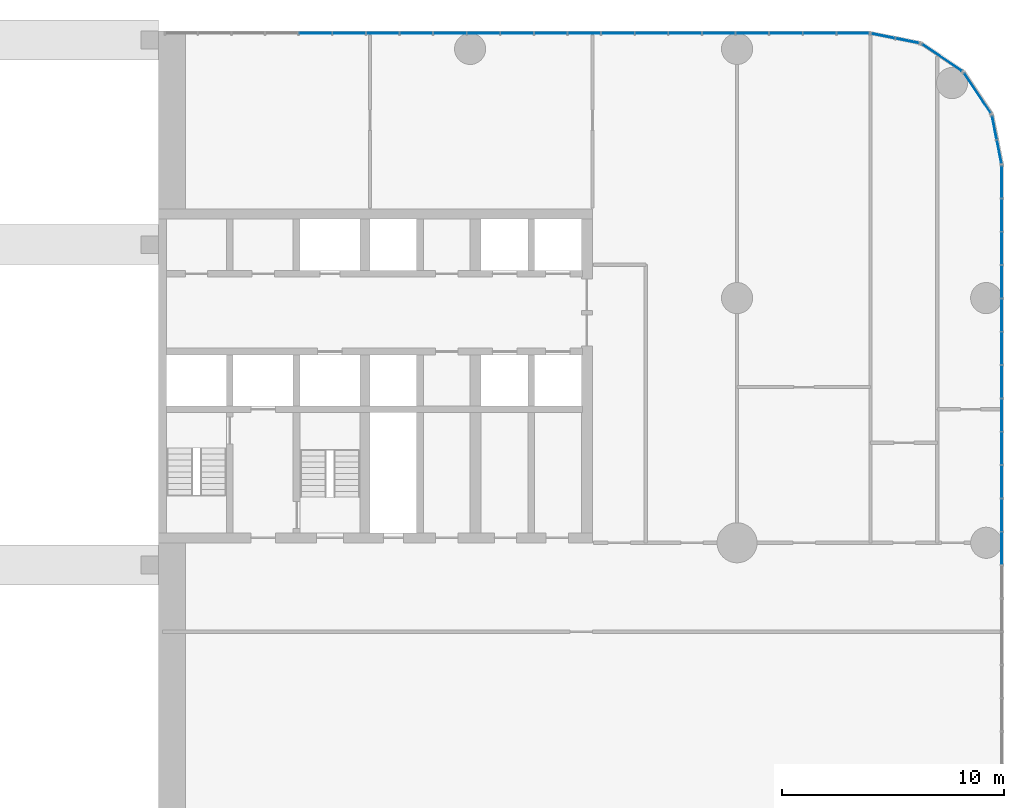
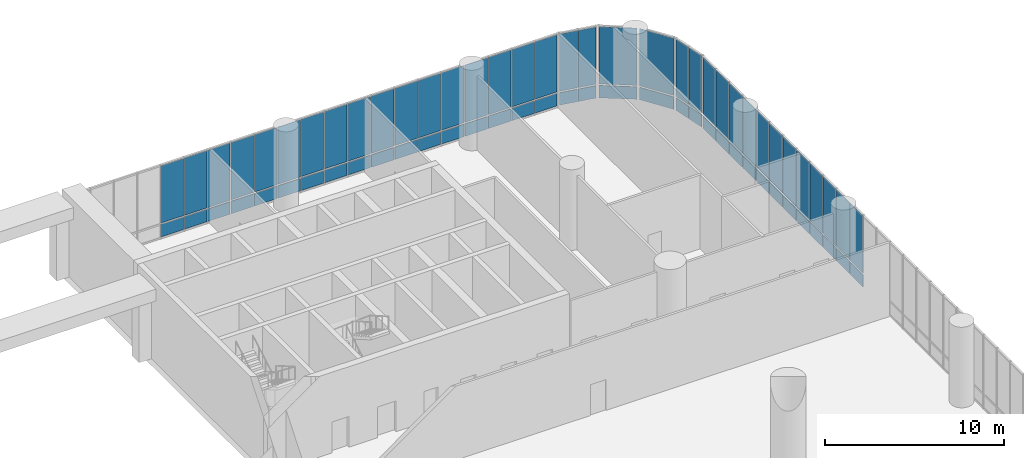
# One storey, part 23 of 30: 70 plates, 6 elements without a shape of their own.
"""IFC4 building model written with IfcOpenShell, lengths in metres."""

from ifc_helpers import new_model, si_unit, direction, frame, origin, origin_2d, place, context, subcontext, project, spatial, rectangle, extrude, material, layer, layer_set, type_object, element, aggregate, save


model = new_model("IFC4")

# Units and contexts
model_context = context("Model", 3, precision=1e-05, world=origin(), true_north=direction((0.0, 1.0)))
body_context = subcontext(model_context, "Body", "Model", "MODEL_VIEW")
ifc_project = project(units=[si_unit("LENGTHUNIT", "METRE"), si_unit("AREAUNIT", "SQUARE_METRE"), si_unit("VOLUMEUNIT", "CUBIC_METRE"), si_unit("PLANEANGLEUNIT", "RADIAN"), si_unit("MASSUNIT", "GRAM", prefix="KILO")], contexts=[model_context])

# Site, building, storey
site_placement = place(None, origin())
site = spatial("IfcSite", under=ifc_project, at=site_placement, CompositionType="ELEMENT")
building_placement = place(site_placement, origin())
building = spatial("IfcBuilding", under=site, at=building_placement, Name="Torana Hotel and Residences", CompositionType="ELEMENT")
storey_placement = place(building_placement, frame((0.0, 0.0, 12.5)))
storey = spatial("IfcBuildingStorey", under=building, at=storey_placement, Name="L02", CompositionType="ELEMENT", Elevation=12.5)

# Curtain wall, plates
ifc_material_1 = material(Name="Dark anodised aluminium", Category="aluminium")
ifc_layer_1 = layer(ifc_material_1, 0.14990234375)
ifc_layer_set_1 = layer_set([ifc_layer_1], Name="CW5 PODIUM UPPER UNITISED CURTAIN WALL")
curtain_wall_type = type_object("IfcCurtainWallType", Name="CW5 PODIUM UPPER UNITISED CURTAIN WALL", PredefinedType="NOTDEFINED", material=ifc_layer_set_1)
curtain_wall_1_placement = place(storey_placement, origin())
curtain_wall_1 = element("IfcCurtainWall", 1, at=curtain_wall_1_placement, inside=storey, type_object=curtain_wall_type, Name="Curtain wall CW5 L02 e1.5", PredefinedType="NOTDEFINED")
ifc_material_2 = material(Name="Glass clear low-iron laminated double glazed unit", Category="glass")
ifc_layer_2 = layer(ifc_material_2, 0.035888671875)
ifc_layer_set_2 = layer_set([ifc_layer_2], Name="CW5 DARK GLASS PANEL 36")
plate_type = type_object("IfcPlateType", Name="CW5 DARK GLASS PANEL 36", PredefinedType="CURTAIN_PANEL", material=ifc_layer_set_2)
plate_1_placement = place(storey_placement, frame((47.89990234375, -15.2509765625, 0.099853515625), z_axis=(0.0, 0.0, 1.0), x_axis=(0.0, 1.0, 0.0)))
plate_1 = element("IfcPlate", 2, at=plate_1_placement, type_object=plate_type, Name="CW5 panel 13.1", PredefinedType="CURTAIN_PANEL", context=body_context, shape_type="SweptSolid", body=[
    extrude(rectangle(XDim=1.43798828125, YDim=0.035888671875, at=origin_2d()), origin(), (0.0, 0.0, 1.0), 0.85009765625),
])
plate_2_placement = place(storey_placement, frame((47.89990234375, -15.2509765625, 1.050048828125), z_axis=(0.0, 0.0, 1.0), x_axis=(0.0, 1.0, 0.0)))
plate_2 = element("IfcPlate", 3, at=plate_2_placement, type_object=plate_type, Name="CW5 panel 13.2", PredefinedType="CURTAIN_PANEL", context=body_context, shape_type="SweptSolid", body=[
    extrude(rectangle(XDim=1.43798828125, YDim=0.035888671875, at=origin_2d()), origin(), (0.0, 0.0, 1.0), 3.89990234375),
])
plate_3_placement = place(storey_placement, frame((47.89990234375, -13.753173828125, 0.099853515625), z_axis=(0.0, 0.0, 1.0), x_axis=(0.0, 1.0, 0.0)))
plate_3 = element("IfcPlate", 4, at=plate_3_placement, type_object=plate_type, Name="CW5 panel 14.1", PredefinedType="CURTAIN_PANEL", context=body_context, shape_type="SweptSolid", body=[
    extrude(rectangle(XDim=1.43798828125, YDim=0.035888671875, at=origin_2d()), origin(), (0.0, 0.0, 1.0), 0.85009765625),
])
plate_4_placement = place(storey_placement, frame((47.89990234375, -13.753173828125, 1.050048828125), z_axis=(0.0, 0.0, 1.0), x_axis=(0.0, 1.0, 0.0)))
plate_4 = element("IfcPlate", 5, at=plate_4_placement, type_object=plate_type, Name="CW5 panel 14.2", PredefinedType="CURTAIN_PANEL", context=body_context, shape_type="SweptSolid", body=[
    extrude(rectangle(XDim=1.43798828125, YDim=0.035888671875, at=origin_2d()), origin(), (0.0, 0.0, 1.0), 3.89990234375),
])
plate_5_placement = place(storey_placement, frame((47.89990234375, -12.255126953125, 0.099853515625), z_axis=(0.0, 0.0, 1.0), x_axis=(0.0, 1.0, 0.0)))
plate_5 = element("IfcPlate", 6, at=plate_5_placement, type_object=plate_type, Name="CW5 panel 15.1", PredefinedType="CURTAIN_PANEL", context=body_context, shape_type="SweptSolid", body=[
    extrude(rectangle(XDim=1.43798828125, YDim=0.035888671875, at=origin_2d()), origin(), (0.0, 0.0, 1.0), 0.85009765625),
])
plate_6_placement = place(storey_placement, frame((47.89990234375, -12.255126953125, 1.050048828125), z_axis=(0.0, 0.0, 1.0), x_axis=(0.0, 1.0, 0.0)))
plate_6 = element("IfcPlate", 7, at=plate_6_placement, type_object=plate_type, Name="CW5 panel 15.2", PredefinedType="CURTAIN_PANEL", context=body_context, shape_type="SweptSolid", body=[
    extrude(rectangle(XDim=1.43798828125, YDim=0.035888671875, at=origin_2d()), origin(), (0.0, 0.0, 1.0), 3.89990234375),
])
plate_7_placement = place(storey_placement, frame((47.89990234375, -10.757080078125, 0.099853515625), z_axis=(0.0, 0.0, 1.0), x_axis=(0.0, 1.0, 0.0)))
plate_7 = element("IfcPlate", 8, at=plate_7_placement, type_object=plate_type, Name="CW5 panel 16.1", PredefinedType="CURTAIN_PANEL", context=body_context, shape_type="SweptSolid", body=[
    extrude(rectangle(XDim=1.43798828125, YDim=0.035888671875, at=origin_2d()), origin(), (0.0, 0.0, 1.0), 0.85009765625),
])
plate_8_placement = place(storey_placement, frame((47.89990234375, -10.757080078125, 1.050048828125), z_axis=(0.0, 0.0, 1.0), x_axis=(0.0, 1.0, 0.0)))
plate_8 = element("IfcPlate", 9, at=plate_8_placement, type_object=plate_type, Name="CW5 panel 16.2", PredefinedType="CURTAIN_PANEL", context=body_context, shape_type="SweptSolid", body=[
    extrude(rectangle(XDim=1.43798828125, YDim=0.035888671875, at=origin_2d()), origin(), (0.0, 0.0, 1.0), 3.89990234375),
])
plate_9_placement = place(storey_placement, frame((47.89990234375, -9.25927734375, 0.099853515625), z_axis=(0.0, 0.0, 1.0), x_axis=(0.0, 1.0, 0.0)))
plate_9 = element("IfcPlate", 10, at=plate_9_placement, type_object=plate_type, Name="CW5 panel 17.1", PredefinedType="CURTAIN_PANEL", context=body_context, shape_type="SweptSolid", body=[
    extrude(rectangle(XDim=1.43798828125, YDim=0.035888671875, at=origin_2d()), origin(), (0.0, 0.0, 1.0), 0.85009765625),
])
plate_10_placement = place(storey_placement, frame((47.89990234375, -9.25927734375, 1.050048828125), z_axis=(0.0, 0.0, 1.0), x_axis=(0.0, 1.0, 0.0)))
plate_10 = element("IfcPlate", 11, at=plate_10_placement, type_object=plate_type, Name="CW5 panel 17.2", PredefinedType="CURTAIN_PANEL", context=body_context, shape_type="SweptSolid", body=[
    extrude(rectangle(XDim=1.43798828125, YDim=0.035888671875, at=origin_2d()), origin(), (0.0, 0.0, 1.0), 3.89990234375),
])
plate_11_placement = place(storey_placement, frame((47.89990234375, -7.76123046875, 0.099853515625), z_axis=(0.0, 0.0, 1.0), x_axis=(0.0, 1.0, 0.0)))
plate_11 = element("IfcPlate", 12, at=plate_11_placement, type_object=plate_type, Name="CW5 panel 18.1", PredefinedType="CURTAIN_PANEL", context=body_context, shape_type="SweptSolid", body=[
    extrude(rectangle(XDim=1.43798828125, YDim=0.035888671875, at=origin_2d()), origin(), (0.0, 0.0, 1.0), 0.85009765625),
])
plate_12_placement = place(storey_placement, frame((47.89990234375, -7.76123046875, 1.050048828125), z_axis=(0.0, 0.0, 1.0), x_axis=(0.0, 1.0, 0.0)))
plate_12 = element("IfcPlate", 13, at=plate_12_placement, type_object=plate_type, Name="CW5 panel 18.2", PredefinedType="CURTAIN_PANEL", context=body_context, shape_type="SweptSolid", body=[
    extrude(rectangle(XDim=1.43798828125, YDim=0.035888671875, at=origin_2d()), origin(), (0.0, 0.0, 1.0), 3.89990234375),
])
plate_13_placement = place(storey_placement, frame((47.89990234375, -6.263427734375, 0.099853515625), z_axis=(0.0, 0.0, 1.0), x_axis=(0.0, 1.0, 0.0)))
plate_13 = element("IfcPlate", 14, at=plate_13_placement, type_object=plate_type, Name="CW5 panel 19.1", PredefinedType="CURTAIN_PANEL", context=body_context, shape_type="SweptSolid", body=[
    extrude(rectangle(XDim=1.43798828125, YDim=0.035888671875, at=origin_2d()), origin(), (0.0, 0.0, 1.0), 0.85009765625),
])
plate_14_placement = place(storey_placement, frame((47.89990234375, -6.263427734375, 1.050048828125), z_axis=(0.0, 0.0, 1.0), x_axis=(0.0, 1.0, 0.0)))
plate_14 = element("IfcPlate", 15, at=plate_14_placement, type_object=plate_type, Name="CW5 panel 19.2", PredefinedType="CURTAIN_PANEL", context=body_context, shape_type="SweptSolid", body=[
    extrude(rectangle(XDim=1.43798828125, YDim=0.035888671875, at=origin_2d()), origin(), (0.0, 0.0, 1.0), 3.89990234375),
])
plate_15_placement = place(storey_placement, frame((47.89990234375, -4.765380859375, 0.099853515625), z_axis=(0.0, 0.0, 1.0), x_axis=(0.0, 1.0, 0.0)))
plate_15 = element("IfcPlate", 16, at=plate_15_placement, type_object=plate_type, Name="CW5 panel 20.1", PredefinedType="CURTAIN_PANEL", context=body_context, shape_type="SweptSolid", body=[
    extrude(rectangle(XDim=1.43798828125, YDim=0.035888671875, at=origin_2d()), origin(), (0.0, 0.0, 1.0), 0.85009765625),
])
plate_16_placement = place(storey_placement, frame((47.89990234375, -4.765380859375, 1.050048828125), z_axis=(0.0, 0.0, 1.0), x_axis=(0.0, 1.0, 0.0)))
plate_16 = element("IfcPlate", 17, at=plate_16_placement, type_object=plate_type, Name="CW5 panel 20.2", PredefinedType="CURTAIN_PANEL", context=body_context, shape_type="SweptSolid", body=[
    extrude(rectangle(XDim=1.43798828125, YDim=0.035888671875, at=origin_2d()), origin(), (0.0, 0.0, 1.0), 3.89990234375),
])
plate_17_placement = place(storey_placement, frame((47.89990234375, -3.267333984375, 0.099853515625), z_axis=(0.0, 0.0, 1.0), x_axis=(0.0, 1.0, 0.0)))
plate_17 = element("IfcPlate", 18, at=plate_17_placement, type_object=plate_type, Name="CW5 panel 21.1", PredefinedType="CURTAIN_PANEL", context=body_context, shape_type="SweptSolid", body=[
    extrude(rectangle(XDim=1.43798828125, YDim=0.035888671875, at=origin_2d()), origin(), (0.0, 0.0, 1.0), 0.85009765625),
])
plate_18_placement = place(storey_placement, frame((47.89990234375, -3.267333984375, 1.050048828125), z_axis=(0.0, 0.0, 1.0), x_axis=(0.0, 1.0, 0.0)))
plate_18 = element("IfcPlate", 19, at=plate_18_placement, type_object=plate_type, Name="CW5 panel 21.2", PredefinedType="CURTAIN_PANEL", context=body_context, shape_type="SweptSolid", body=[
    extrude(rectangle(XDim=1.43798828125, YDim=0.035888671875, at=origin_2d()), origin(), (0.0, 0.0, 1.0), 3.89990234375),
])
plate_19_placement = place(storey_placement, frame((47.89990234375, -1.76953125, 0.099853515625), z_axis=(0.0, 0.0, 1.0), x_axis=(0.0, 1.0, 0.0)))
plate_19 = element("IfcPlate", 20, at=plate_19_placement, type_object=plate_type, Name="CW5 panel 22.1", PredefinedType="CURTAIN_PANEL", context=body_context, shape_type="SweptSolid", body=[
    extrude(rectangle(XDim=1.43798828125, YDim=0.035888671875, at=origin_2d()), origin(), (0.0, 0.0, 1.0), 0.85009765625),
])
plate_20_placement = place(storey_placement, frame((47.89990234375, -1.76953125, 1.050048828125), z_axis=(0.0, 0.0, 1.0), x_axis=(0.0, 1.0, 0.0)))
plate_20 = element("IfcPlate", 21, at=plate_20_placement, type_object=plate_type, Name="CW5 panel 22.2", PredefinedType="CURTAIN_PANEL", context=body_context, shape_type="SweptSolid", body=[
    extrude(rectangle(XDim=1.43798828125, YDim=0.035888671875, at=origin_2d()), origin(), (0.0, 0.0, 1.0), 3.89990234375),
])
plate_21_placement = place(storey_placement, frame((47.89990234375, -0.271484375, 0.099853515625), z_axis=(0.0, 0.0, 1.0), x_axis=(0.0, 1.0, 0.0)))
plate_21 = element("IfcPlate", 22, at=plate_21_placement, type_object=plate_type, Name="CW5 panel 23.1", PredefinedType="CURTAIN_PANEL", context=body_context, shape_type="SweptSolid", body=[
    extrude(rectangle(XDim=1.43798828125, YDim=0.035888671875, at=origin_2d()), origin(), (0.0, 0.0, 1.0), 0.85009765625),
])
plate_22_placement = place(storey_placement, frame((47.89990234375, -0.271484375, 1.050048828125), z_axis=(0.0, 0.0, 1.0), x_axis=(0.0, 1.0, 0.0)))
plate_22 = element("IfcPlate", 23, at=plate_22_placement, type_object=plate_type, Name="CW5 panel 23.2", PredefinedType="CURTAIN_PANEL", context=body_context, shape_type="SweptSolid", body=[
    extrude(rectangle(XDim=1.43798828125, YDim=0.035888671875, at=origin_2d()), origin(), (0.0, 0.0, 1.0), 3.89990234375),
])
plate_23_placement = place(storey_placement, frame((47.89990234375, 1.21142578125, 0.099853515625), z_axis=(0.0, 0.0, 1.0), x_axis=(0.0, 1.0, 0.0)))
plate_23 = element("IfcPlate", 24, at=plate_23_placement, type_object=plate_type, Name="CW5 panel 24.1", PredefinedType="CURTAIN_PANEL", context=body_context, shape_type="SweptSolid", body=[
    extrude(rectangle(XDim=1.407958984375, YDim=0.035888671875, at=origin_2d()), origin(), (0.0, 0.0, 1.0), 0.85009765625),
])
plate_24_placement = place(storey_placement, frame((47.89990234375, 1.21142578125, 1.050048828125), z_axis=(0.0, 0.0, 1.0), x_axis=(0.0, 1.0, 0.0)))
plate_24 = element("IfcPlate", 25, at=plate_24_placement, type_object=plate_type, Name="CW5 panel 24.2", PredefinedType="CURTAIN_PANEL", context=body_context, shape_type="SweptSolid", body=[
    extrude(rectangle(XDim=1.407958984375, YDim=0.035888671875, at=origin_2d()), origin(), (0.0, 0.0, 1.0), 3.89990234375),
])
aggregate(curtain_wall_1, [plate_1, plate_2, plate_3, plate_4, plate_5, plate_6, plate_7, plate_8, plate_9, plate_10, plate_11, plate_12, plate_13, plate_14, plate_15, plate_16, plate_17, plate_18, plate_19, plate_20, plate_21, plate_22, plate_23, plate_24])

curtain_wall_2_placement = place(storey_placement, origin())
curtain_wall_2 = element("IfcCurtainWall", 26, at=curtain_wall_2_placement, inside=storey, type_object=curtain_wall_type, Name="Curtain wall CW5 L02 e1.6", PredefinedType="NOTDEFINED")
plate_25_placement = place(storey_placement, frame((47.78369140625, 2.5751953125, 0.099853515625), z_axis=(0.0, 0.0, 1.0), x_axis=(-0.195080996415, 0.980787135335, 0.0)))
plate_25 = element("IfcPlate", 27, at=plate_25_placement, type_object=plate_type, Name="CW5 panel 1.1", PredefinedType="CURTAIN_PANEL", context=body_context, shape_type="SweptSolid", body=[
    extrude(rectangle(XDim=1.04345703125, YDim=0.035888671875, at=origin_2d()), origin(), (0.0, 0.0, 1.0), 0.85009765625),
])
plate_26_placement = place(storey_placement, frame((47.78369140625, 2.5751953125, 1.050048828125), z_axis=(0.0, 0.0, 1.0), x_axis=(-0.195080996415, 0.980787135335, 0.0)))
plate_26 = element("IfcPlate", 28, at=plate_26_placement, type_object=plate_type, Name="CW5 panel 1.2", PredefinedType="CURTAIN_PANEL", context=body_context, shape_type="SweptSolid", body=[
    extrude(rectangle(XDim=1.04345703125, YDim=0.035888671875, at=origin_2d()), origin(), (0.0, 0.0, 1.0), 3.89990234375),
])
plate_27_placement = place(storey_placement, frame((47.568359375, 3.6572265625, 0.099853515625), z_axis=(0.0, 0.0, 1.0), x_axis=(-0.195080996415, 0.980787135335, 0.0)))
plate_27 = element("IfcPlate", 29, at=plate_27_placement, type_object=plate_type, Name="CW5 panel 2.1", PredefinedType="CURTAIN_PANEL", context=body_context, shape_type="SweptSolid", body=[
    extrude(rectangle(XDim=1.04345703125, YDim=0.035888671875, at=origin_2d()), origin(), (0.0, 0.0, 1.0), 0.85009765625),
])
plate_28_placement = place(storey_placement, frame((47.568359375, 3.6572265625, 1.050048828125), z_axis=(0.0, 0.0, 1.0), x_axis=(-0.195080996415, 0.980787135335, 0.0)))
plate_28 = element("IfcPlate", 30, at=plate_28_placement, type_object=plate_type, Name="CW5 panel 2.2", PredefinedType="CURTAIN_PANEL", context=body_context, shape_type="SweptSolid", body=[
    extrude(rectangle(XDim=1.04345703125, YDim=0.035888671875, at=origin_2d()), origin(), (0.0, 0.0, 1.0), 3.89990234375),
])
aggregate(curtain_wall_2, [plate_25, plate_26, plate_27, plate_28])

curtain_wall_3_placement = place(storey_placement, origin())
curtain_wall_3 = element("IfcCurtainWall", 31, at=curtain_wall_3_placement, inside=storey, type_object=curtain_wall_type, Name="Curtain wall CW5 L02 e1.7", PredefinedType="NOTDEFINED")
plate_29_placement = place(storey_placement, frame((46.809814453125, 5.2138671875, 0.099853515625), z_axis=(0.0, 0.0, 1.0), x_axis=(-0.555585238723, 0.831459585616, 0.0)))
plate_29 = element("IfcPlate", 32, at=plate_29_placement, type_object=plate_type, Name="CW5 panel 1.1", PredefinedType="CURTAIN_PANEL", context=body_context, shape_type="SweptSolid", body=[
    extrude(rectangle(XDim=2.12158203125, YDim=0.035888671875, at=origin_2d()), origin(), (0.0, 0.0, 1.0), 0.85009765625),
])
plate_30_placement = place(storey_placement, frame((46.809814453125, 5.2138671875, 1.050048828125), z_axis=(0.0, 0.0, 1.0), x_axis=(-0.555585238723, 0.831459585616, 0.0)))
plate_30 = element("IfcPlate", 33, at=plate_30_placement, type_object=plate_type, Name="CW5 panel 1.2", PredefinedType="CURTAIN_PANEL", context=body_context, shape_type="SweptSolid", body=[
    extrude(rectangle(XDim=2.12158203125, YDim=0.035888671875, at=origin_2d()), origin(), (0.0, 0.0, 1.0), 3.89990234375),
])
aggregate(curtain_wall_3, [plate_29, plate_30])

curtain_wall_4_placement = place(storey_placement, origin())
curtain_wall_4 = element("IfcCurtainWall", 34, at=curtain_wall_4_placement, inside=storey, type_object=curtain_wall_type, Name="Curtain wall CW5 L02 e1.8", PredefinedType="NOTDEFINED")
plate_31_placement = place(storey_placement, frame((45.2138671875, 6.809814453125, 0.099853515625), z_axis=(0.0, 0.0, 1.0), x_axis=(-0.831459585616, 0.555585238723, 0.0)))
plate_31 = element("IfcPlate", 35, at=plate_31_placement, type_object=plate_type, Name="CW5 panel 1.1", PredefinedType="CURTAIN_PANEL", context=body_context, shape_type="SweptSolid", body=[
    extrude(rectangle(XDim=2.12158203125, YDim=0.035888671875, at=origin_2d()), origin(), (0.0, 0.0, 1.0), 0.85009765625),
])
plate_32_placement = place(storey_placement, frame((45.2138671875, 6.809814453125, 1.050048828125), z_axis=(0.0, 0.0, 1.0), x_axis=(-0.831459585616, 0.555585238723, 0.0)))
plate_32 = element("IfcPlate", 36, at=plate_32_placement, type_object=plate_type, Name="CW5 panel 1.2", PredefinedType="CURTAIN_PANEL", context=body_context, shape_type="SweptSolid", body=[
    extrude(rectangle(XDim=2.12158203125, YDim=0.035888671875, at=origin_2d()), origin(), (0.0, 0.0, 1.0), 3.89990234375),
])
aggregate(curtain_wall_4, [plate_31, plate_32])

curtain_wall_5_placement = place(storey_placement, origin())
curtain_wall_5 = element("IfcCurtainWall", 37, at=curtain_wall_5_placement, inside=storey, type_object=curtain_wall_type, Name="Curtain wall CW5 L02 e1.9", PredefinedType="NOTDEFINED")
plate_33_placement = place(storey_placement, frame((43.6572265625, 7.568359375, 0.099853515625), z_axis=(0.0, 0.0, 1.0), x_axis=(-0.980787135335, 0.195080996415, 0.0)))
plate_33 = element("IfcPlate", 38, at=plate_33_placement, type_object=plate_type, Name="CW5 panel 1.1", PredefinedType="CURTAIN_PANEL", context=body_context, shape_type="SweptSolid", body=[
    extrude(rectangle(XDim=1.04345703125, YDim=0.035888671875, at=origin_2d()), origin(), (0.0, 0.0, 1.0), 0.85009765625),
])
plate_34_placement = place(storey_placement, frame((43.6572265625, 7.568359375, 1.050048828125), z_axis=(0.0, 0.0, 1.0), x_axis=(-0.980787135335, 0.195080996415, 0.0)))
plate_34 = element("IfcPlate", 39, at=plate_34_placement, type_object=plate_type, Name="CW5 panel 1.2", PredefinedType="CURTAIN_PANEL", context=body_context, shape_type="SweptSolid", body=[
    extrude(rectangle(XDim=1.04345703125, YDim=0.035888671875, at=origin_2d()), origin(), (0.0, 0.0, 1.0), 3.89990234375),
])
plate_35_placement = place(storey_placement, frame((42.5751953125, 7.78369140625, 0.099853515625), z_axis=(0.0, 0.0, 1.0), x_axis=(-0.980787135335, 0.195080996415, 0.0)))
plate_35 = element("IfcPlate", 40, at=plate_35_placement, type_object=plate_type, Name="CW5 panel 2.1", PredefinedType="CURTAIN_PANEL", context=body_context, shape_type="SweptSolid", body=[
    extrude(rectangle(XDim=1.04345703125, YDim=0.035888671875, at=origin_2d()), origin(), (0.0, 0.0, 1.0), 0.85009765625),
])
plate_36_placement = place(storey_placement, frame((42.5751953125, 7.78369140625, 1.050048828125), z_axis=(0.0, 0.0, 1.0), x_axis=(-0.980787135335, 0.195080996415, 0.0)))
plate_36 = element("IfcPlate", 41, at=plate_36_placement, type_object=plate_type, Name="CW5 panel 2.2", PredefinedType="CURTAIN_PANEL", context=body_context, shape_type="SweptSolid", body=[
    extrude(rectangle(XDim=1.04345703125, YDim=0.035888671875, at=origin_2d()), origin(), (0.0, 0.0, 1.0), 3.89990234375),
])
aggregate(curtain_wall_5, [plate_33, plate_34, plate_35, plate_36])

curtain_wall_6_placement = place(storey_placement, origin())
curtain_wall_6 = element("IfcCurtainWall", 42, at=curtain_wall_6_placement, inside=storey, type_object=curtain_wall_type, Name="Curtain wall CW5 L02 e1.10", PredefinedType="NOTDEFINED")
plate_37_placement = place(storey_placement, frame((41.205078125, 7.89990234375, 0.099853515625), z_axis=(0.0, 0.0, 1.0), x_axis=(-1.0, 0.0, 0.0)))
plate_37 = element("IfcPlate", 43, at=plate_37_placement, type_object=plate_type, Name="CW5 panel 1.1", PredefinedType="CURTAIN_PANEL", context=body_context, shape_type="SweptSolid", body=[
    extrude(rectangle(XDim=1.420654296875, YDim=0.035888671875, at=origin_2d()), origin(), (0.0, 0.0, 1.0), 0.85009765625),
])
plate_38_placement = place(storey_placement, frame((41.205078125, 7.89990234375, 1.050048828125), z_axis=(0.0, 0.0, 1.0), x_axis=(-1.0, 0.0, 0.0)))
plate_38 = element("IfcPlate", 44, at=plate_38_placement, type_object=plate_type, Name="CW5 panel 1.2", PredefinedType="CURTAIN_PANEL", context=body_context, shape_type="SweptSolid", body=[
    extrude(rectangle(XDim=1.420654296875, YDim=0.035888671875, at=origin_2d()), origin(), (0.0, 0.0, 1.0), 3.89990234375),
])
plate_39_placement = place(storey_placement, frame((39.709228515625, 7.89990234375, 0.099853515625), z_axis=(0.0, 0.0, 1.0), x_axis=(-1.0, 0.0, 0.0)))
plate_39 = element("IfcPlate", 45, at=plate_39_placement, type_object=plate_type, Name="CW5 panel 2.1", PredefinedType="CURTAIN_PANEL", context=body_context, shape_type="SweptSolid", body=[
    extrude(rectangle(XDim=1.45068359375, YDim=0.035888671875, at=origin_2d()), origin(), (0.0, 0.0, 1.0), 0.85009765625),
])
plate_40_placement = place(storey_placement, frame((39.709228515625, 7.89990234375, 1.050048828125), z_axis=(0.0, 0.0, 1.0), x_axis=(-1.0, 0.0, 0.0)))
plate_40 = element("IfcPlate", 46, at=plate_40_placement, type_object=plate_type, Name="CW5 panel 2.2", PredefinedType="CURTAIN_PANEL", context=body_context, shape_type="SweptSolid", body=[
    extrude(rectangle(XDim=1.45068359375, YDim=0.035888671875, at=origin_2d()), origin(), (0.0, 0.0, 1.0), 3.89990234375),
])
plate_41_placement = place(storey_placement, frame((38.198486328125, 7.89990234375, 0.099853515625), z_axis=(0.0, 0.0, 1.0), x_axis=(-1.0, 0.0, 0.0)))
plate_41 = element("IfcPlate", 47, at=plate_41_placement, type_object=plate_type, Name="CW5 panel 3.1", PredefinedType="CURTAIN_PANEL", context=body_context, shape_type="SweptSolid", body=[
    extrude(rectangle(XDim=1.45068359375, YDim=0.035888671875, at=origin_2d()), origin(), (0.0, 0.0, 1.0), 0.85009765625),
])
plate_42_placement = place(storey_placement, frame((38.198486328125, 7.89990234375, 1.050048828125), z_axis=(0.0, 0.0, 1.0), x_axis=(-1.0, 0.0, 0.0)))
plate_42 = element("IfcPlate", 48, at=plate_42_placement, type_object=plate_type, Name="CW5 panel 3.2", PredefinedType="CURTAIN_PANEL", context=body_context, shape_type="SweptSolid", body=[
    extrude(rectangle(XDim=1.45068359375, YDim=0.035888671875, at=origin_2d()), origin(), (0.0, 0.0, 1.0), 3.89990234375),
])
plate_43_placement = place(storey_placement, frame((36.687744140625, 7.89990234375, 0.099853515625), z_axis=(0.0, 0.0, 1.0), x_axis=(-1.0, 0.0, 0.0)))
plate_43 = element("IfcPlate", 49, at=plate_43_placement, type_object=plate_type, Name="CW5 panel 4.1", PredefinedType="CURTAIN_PANEL", context=body_context, shape_type="SweptSolid", body=[
    extrude(rectangle(XDim=1.45068359375, YDim=0.035888671875, at=origin_2d()), origin(), (0.0, 0.0, 1.0), 0.85009765625),
])
plate_44_placement = place(storey_placement, frame((36.687744140625, 7.89990234375, 1.050048828125), z_axis=(0.0, 0.0, 1.0), x_axis=(-1.0, 0.0, 0.0)))
plate_44 = element("IfcPlate", 50, at=plate_44_placement, type_object=plate_type, Name="CW5 panel 4.2", PredefinedType="CURTAIN_PANEL", context=body_context, shape_type="SweptSolid", body=[
    extrude(rectangle(XDim=1.45068359375, YDim=0.035888671875, at=origin_2d()), origin(), (0.0, 0.0, 1.0), 3.89990234375),
])
plate_45_placement = place(storey_placement, frame((35.177001953125, 7.89990234375, 0.099853515625), z_axis=(0.0, 0.0, 1.0), x_axis=(-1.0, 0.0, 0.0)))
plate_45 = element("IfcPlate", 51, at=plate_45_placement, type_object=plate_type, Name="CW5 panel 5.1", PredefinedType="CURTAIN_PANEL", context=body_context, shape_type="SweptSolid", body=[
    extrude(rectangle(XDim=1.45068359375, YDim=0.035888671875, at=origin_2d()), origin(), (0.0, 0.0, 1.0), 0.85009765625),
])
plate_46_placement = place(storey_placement, frame((35.177001953125, 7.89990234375, 1.050048828125), z_axis=(0.0, 0.0, 1.0), x_axis=(-1.0, 0.0, 0.0)))
plate_46 = element("IfcPlate", 52, at=plate_46_placement, type_object=plate_type, Name="CW5 panel 5.2", PredefinedType="CURTAIN_PANEL", context=body_context, shape_type="SweptSolid", body=[
    extrude(rectangle(XDim=1.45068359375, YDim=0.035888671875, at=origin_2d()), origin(), (0.0, 0.0, 1.0), 3.89990234375),
])
plate_47_placement = place(storey_placement, frame((33.666259765625, 7.89990234375, 0.099853515625), z_axis=(0.0, 0.0, 1.0), x_axis=(-1.0, 0.0, 0.0)))
plate_47 = element("IfcPlate", 53, at=plate_47_placement, type_object=plate_type, Name="CW5 panel 6.1", PredefinedType="CURTAIN_PANEL", context=body_context, shape_type="SweptSolid", body=[
    extrude(rectangle(XDim=1.45068359375, YDim=0.035888671875, at=origin_2d()), origin(), (0.0, 0.0, 1.0), 0.85009765625),
])
plate_48_placement = place(storey_placement, frame((33.666259765625, 7.89990234375, 1.050048828125), z_axis=(0.0, 0.0, 1.0), x_axis=(-1.0, 0.0, 0.0)))
plate_48 = element("IfcPlate", 54, at=plate_48_placement, type_object=plate_type, Name="CW5 panel 6.2", PredefinedType="CURTAIN_PANEL", context=body_context, shape_type="SweptSolid", body=[
    extrude(rectangle(XDim=1.45068359375, YDim=0.035888671875, at=origin_2d()), origin(), (0.0, 0.0, 1.0), 3.89990234375),
])
plate_49_placement = place(storey_placement, frame((32.155517578125, 7.89990234375, 0.099853515625), z_axis=(0.0, 0.0, 1.0), x_axis=(-1.0, 0.0, 0.0)))
plate_49 = element("IfcPlate", 55, at=plate_49_placement, type_object=plate_type, Name="CW5 panel 7.1", PredefinedType="CURTAIN_PANEL", context=body_context, shape_type="SweptSolid", body=[
    extrude(rectangle(XDim=1.45068359375, YDim=0.035888671875, at=origin_2d()), origin(), (0.0, 0.0, 1.0), 0.85009765625),
])
plate_50_placement = place(storey_placement, frame((32.155517578125, 7.89990234375, 1.050048828125), z_axis=(0.0, 0.0, 1.0), x_axis=(-1.0, 0.0, 0.0)))
plate_50 = element("IfcPlate", 56, at=plate_50_placement, type_object=plate_type, Name="CW5 panel 7.2", PredefinedType="CURTAIN_PANEL", context=body_context, shape_type="SweptSolid", body=[
    extrude(rectangle(XDim=1.45068359375, YDim=0.035888671875, at=origin_2d()), origin(), (0.0, 0.0, 1.0), 3.89990234375),
])
plate_51_placement = place(storey_placement, frame((30.64501953125, 7.89990234375, 0.099853515625), z_axis=(0.0, 0.0, 1.0), x_axis=(-1.0, 0.0, 0.0)))
plate_51 = element("IfcPlate", 57, at=plate_51_placement, type_object=plate_type, Name="CW5 panel 8.1", PredefinedType="CURTAIN_PANEL", context=body_context, shape_type="SweptSolid", body=[
    extrude(rectangle(XDim=1.45068359375, YDim=0.035888671875, at=origin_2d()), origin(), (0.0, 0.0, 1.0), 0.85009765625),
])
plate_52_placement = place(storey_placement, frame((30.64501953125, 7.89990234375, 1.050048828125), z_axis=(0.0, 0.0, 1.0), x_axis=(-1.0, 0.0, 0.0)))
plate_52 = element("IfcPlate", 58, at=plate_52_placement, type_object=plate_type, Name="CW5 panel 8.2", PredefinedType="CURTAIN_PANEL", context=body_context, shape_type="SweptSolid", body=[
    extrude(rectangle(XDim=1.45068359375, YDim=0.035888671875, at=origin_2d()), origin(), (0.0, 0.0, 1.0), 3.89990234375),
])
plate_53_placement = place(storey_placement, frame((29.13427734375, 7.89990234375, 0.099853515625), z_axis=(0.0, 0.0, 1.0), x_axis=(-1.0, 0.0, 0.0)))
plate_53 = element("IfcPlate", 59, at=plate_53_placement, type_object=plate_type, Name="CW5 panel 9.1", PredefinedType="CURTAIN_PANEL", context=body_context, shape_type="SweptSolid", body=[
    extrude(rectangle(XDim=1.45068359375, YDim=0.035888671875, at=origin_2d()), origin(), (0.0, 0.0, 1.0), 0.85009765625),
])
plate_54_placement = place(storey_placement, frame((29.13427734375, 7.89990234375, 1.050048828125), z_axis=(0.0, 0.0, 1.0), x_axis=(-1.0, 0.0, 0.0)))
plate_54 = element("IfcPlate", 60, at=plate_54_placement, type_object=plate_type, Name="CW5 panel 9.2", PredefinedType="CURTAIN_PANEL", context=body_context, shape_type="SweptSolid", body=[
    extrude(rectangle(XDim=1.45068359375, YDim=0.035888671875, at=origin_2d()), origin(), (0.0, 0.0, 1.0), 3.89990234375),
])
plate_55_placement = place(storey_placement, frame((27.62353515625, 7.89990234375, 0.099853515625), z_axis=(0.0, 0.0, 1.0), x_axis=(-1.0, 0.0, 0.0)))
plate_55 = element("IfcPlate", 61, at=plate_55_placement, type_object=plate_type, Name="CW5 panel 10.1", PredefinedType="CURTAIN_PANEL", context=body_context, shape_type="SweptSolid", body=[
    extrude(rectangle(XDim=1.45068359375, YDim=0.035888671875, at=origin_2d()), origin(), (0.0, 0.0, 1.0), 0.85009765625),
])
plate_56_placement = place(storey_placement, frame((27.62353515625, 7.89990234375, 1.050048828125), z_axis=(0.0, 0.0, 1.0), x_axis=(-1.0, 0.0, 0.0)))
plate_56 = element("IfcPlate", 62, at=plate_56_placement, type_object=plate_type, Name="CW5 panel 10.2", PredefinedType="CURTAIN_PANEL", context=body_context, shape_type="SweptSolid", body=[
    extrude(rectangle(XDim=1.45068359375, YDim=0.035888671875, at=origin_2d()), origin(), (0.0, 0.0, 1.0), 3.89990234375),
])
plate_57_placement = place(storey_placement, frame((26.11279296875, 7.89990234375, 0.099853515625), z_axis=(0.0, 0.0, 1.0), x_axis=(-1.0, 0.0, 0.0)))
plate_57 = element("IfcPlate", 63, at=plate_57_placement, type_object=plate_type, Name="CW5 panel 11.1", PredefinedType="CURTAIN_PANEL", context=body_context, shape_type="SweptSolid", body=[
    extrude(rectangle(XDim=1.45068359375, YDim=0.035888671875, at=origin_2d()), origin(), (0.0, 0.0, 1.0), 0.85009765625),
])
plate_58_placement = place(storey_placement, frame((26.11279296875, 7.89990234375, 1.050048828125), z_axis=(0.0, 0.0, 1.0), x_axis=(-1.0, 0.0, 0.0)))
plate_58 = element("IfcPlate", 64, at=plate_58_placement, type_object=plate_type, Name="CW5 panel 11.2", PredefinedType="CURTAIN_PANEL", context=body_context, shape_type="SweptSolid", body=[
    extrude(rectangle(XDim=1.45068359375, YDim=0.035888671875, at=origin_2d()), origin(), (0.0, 0.0, 1.0), 3.89990234375),
])
plate_59_placement = place(storey_placement, frame((24.60205078125, 7.89990234375, 0.099853515625), z_axis=(0.0, 0.0, 1.0), x_axis=(-1.0, 0.0, 0.0)))
plate_59 = element("IfcPlate", 65, at=plate_59_placement, type_object=plate_type, Name="CW5 panel 12.1", PredefinedType="CURTAIN_PANEL", context=body_context, shape_type="SweptSolid", body=[
    extrude(rectangle(XDim=1.45068359375, YDim=0.035888671875, at=origin_2d()), origin(), (0.0, 0.0, 1.0), 0.85009765625),
])
plate_60_placement = place(storey_placement, frame((24.60205078125, 7.89990234375, 1.050048828125), z_axis=(0.0, 0.0, 1.0), x_axis=(-1.0, 0.0, 0.0)))
plate_60 = element("IfcPlate", 66, at=plate_60_placement, type_object=plate_type, Name="CW5 panel 12.2", PredefinedType="CURTAIN_PANEL", context=body_context, shape_type="SweptSolid", body=[
    extrude(rectangle(XDim=1.45068359375, YDim=0.035888671875, at=origin_2d()), origin(), (0.0, 0.0, 1.0), 3.89990234375),
])
plate_61_placement = place(storey_placement, frame((23.09130859375, 7.89990234375, 0.099853515625), z_axis=(0.0, 0.0, 1.0), x_axis=(-1.0, 0.0, 0.0)))
plate_61 = element("IfcPlate", 67, at=plate_61_placement, type_object=plate_type, Name="CW5 panel 13.1", PredefinedType="CURTAIN_PANEL", context=body_context, shape_type="SweptSolid", body=[
    extrude(rectangle(XDim=1.45068359375, YDim=0.035888671875, at=origin_2d()), origin(), (0.0, 0.0, 1.0), 0.85009765625),
])
plate_62_placement = place(storey_placement, frame((23.09130859375, 7.89990234375, 1.050048828125), z_axis=(0.0, 0.0, 1.0), x_axis=(-1.0, 0.0, 0.0)))
plate_62 = element("IfcPlate", 68, at=plate_62_placement, type_object=plate_type, Name="CW5 panel 13.2", PredefinedType="CURTAIN_PANEL", context=body_context, shape_type="SweptSolid", body=[
    extrude(rectangle(XDim=1.45068359375, YDim=0.035888671875, at=origin_2d()), origin(), (0.0, 0.0, 1.0), 3.89990234375),
])
plate_63_placement = place(storey_placement, frame((21.58056640625, 7.89990234375, 0.099853515625), z_axis=(0.0, 0.0, 1.0), x_axis=(-1.0, 0.0, 0.0)))
plate_63 = element("IfcPlate", 69, at=plate_63_placement, type_object=plate_type, Name="CW5 panel 14.1", PredefinedType="CURTAIN_PANEL", context=body_context, shape_type="SweptSolid", body=[
    extrude(rectangle(XDim=1.45068359375, YDim=0.035888671875, at=origin_2d()), origin(), (0.0, 0.0, 1.0), 0.85009765625),
])
plate_64_placement = place(storey_placement, frame((21.58056640625, 7.89990234375, 1.050048828125), z_axis=(0.0, 0.0, 1.0), x_axis=(-1.0, 0.0, 0.0)))
plate_64 = element("IfcPlate", 70, at=plate_64_placement, type_object=plate_type, Name="CW5 panel 14.2", PredefinedType="CURTAIN_PANEL", context=body_context, shape_type="SweptSolid", body=[
    extrude(rectangle(XDim=1.45068359375, YDim=0.035888671875, at=origin_2d()), origin(), (0.0, 0.0, 1.0), 3.89990234375),
])
plate_65_placement = place(storey_placement, frame((20.06982421875, 7.89990234375, 0.099853515625), z_axis=(0.0, 0.0, 1.0), x_axis=(-1.0, 0.0, 0.0)))
plate_65 = element("IfcPlate", 71, at=plate_65_placement, type_object=plate_type, Name="CW5 panel 15.1", PredefinedType="CURTAIN_PANEL", context=body_context, shape_type="SweptSolid", body=[
    extrude(rectangle(XDim=1.45068359375, YDim=0.035888671875, at=origin_2d()), origin(), (0.0, 0.0, 1.0), 0.85009765625),
])
plate_66_placement = place(storey_placement, frame((20.06982421875, 7.89990234375, 1.050048828125), z_axis=(0.0, 0.0, 1.0), x_axis=(-1.0, 0.0, 0.0)))
plate_66 = element("IfcPlate", 72, at=plate_66_placement, type_object=plate_type, Name="CW5 panel 15.2", PredefinedType="CURTAIN_PANEL", context=body_context, shape_type="SweptSolid", body=[
    extrude(rectangle(XDim=1.45068359375, YDim=0.035888671875, at=origin_2d()), origin(), (0.0, 0.0, 1.0), 3.89990234375),
])
plate_67_placement = place(storey_placement, frame((18.55908203125, 7.89990234375, 0.099853515625), z_axis=(0.0, 0.0, 1.0), x_axis=(-1.0, 0.0, 0.0)))
plate_67 = element("IfcPlate", 73, at=plate_67_placement, type_object=plate_type, Name="CW5 panel 16.1", PredefinedType="CURTAIN_PANEL", context=body_context, shape_type="SweptSolid", body=[
    extrude(rectangle(XDim=1.45068359375, YDim=0.035888671875, at=origin_2d()), origin(), (0.0, 0.0, 1.0), 0.85009765625),
])
plate_68_placement = place(storey_placement, frame((18.55908203125, 7.89990234375, 1.050048828125), z_axis=(0.0, 0.0, 1.0), x_axis=(-1.0, 0.0, 0.0)))
plate_68 = element("IfcPlate", 74, at=plate_68_placement, type_object=plate_type, Name="CW5 panel 16.2", PredefinedType="CURTAIN_PANEL", context=body_context, shape_type="SweptSolid", body=[
    extrude(rectangle(XDim=1.45068359375, YDim=0.035888671875, at=origin_2d()), origin(), (0.0, 0.0, 1.0), 3.89990234375),
])
plate_69_placement = place(storey_placement, frame((17.04833984375, 7.89990234375, 0.099853515625), z_axis=(0.0, 0.0, 1.0), x_axis=(-1.0, 0.0, 0.0)))
plate_69 = element("IfcPlate", 75, at=plate_69_placement, type_object=plate_type, Name="CW5 panel 17.1", PredefinedType="CURTAIN_PANEL", context=body_context, shape_type="SweptSolid", body=[
    extrude(rectangle(XDim=1.45068359375, YDim=0.035888671875, at=origin_2d()), origin(), (0.0, 0.0, 1.0), 0.85009765625),
])
plate_70_placement = place(storey_placement, frame((17.04833984375, 7.89990234375, 1.050048828125), z_axis=(0.0, 0.0, 1.0), x_axis=(-1.0, 0.0, 0.0)))
plate_70 = element("IfcPlate", 76, at=plate_70_placement, type_object=plate_type, Name="CW5 panel 17.2", PredefinedType="CURTAIN_PANEL", context=body_context, shape_type="SweptSolid", body=[
    extrude(rectangle(XDim=1.45068359375, YDim=0.035888671875, at=origin_2d()), origin(), (0.0, 0.0, 1.0), 3.89990234375),
])
aggregate(curtain_wall_6, [plate_37, plate_38, plate_39, plate_40, plate_41, plate_42, plate_43, plate_44, plate_45, plate_46, plate_47, plate_48, plate_49, plate_50, plate_51, plate_52, plate_53, plate_54, plate_55, plate_56, plate_57, plate_58, plate_59, plate_60, plate_61, plate_62, plate_63, plate_64, plate_65, plate_66, plate_67, plate_68, plate_69, plate_70])

save(model, "model.ifc")
